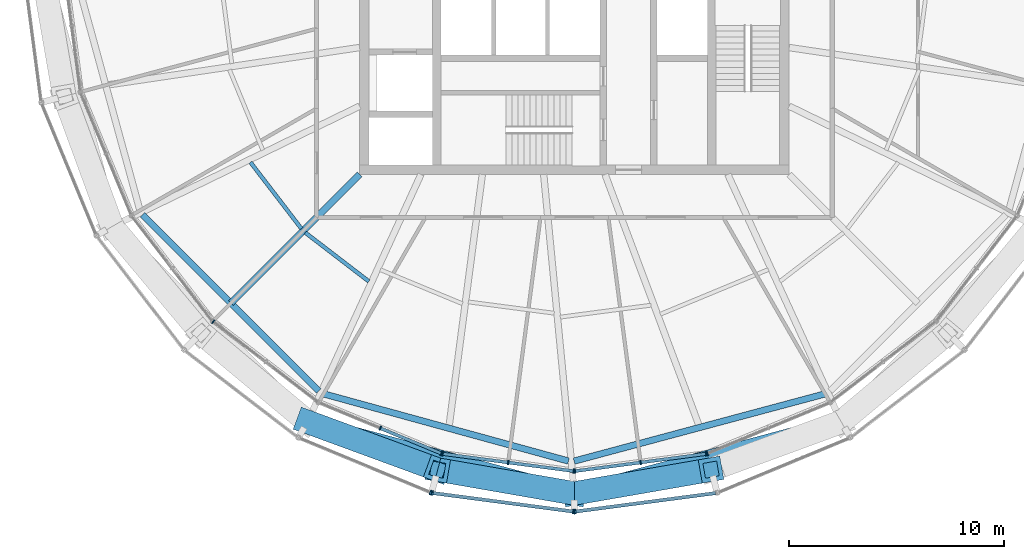
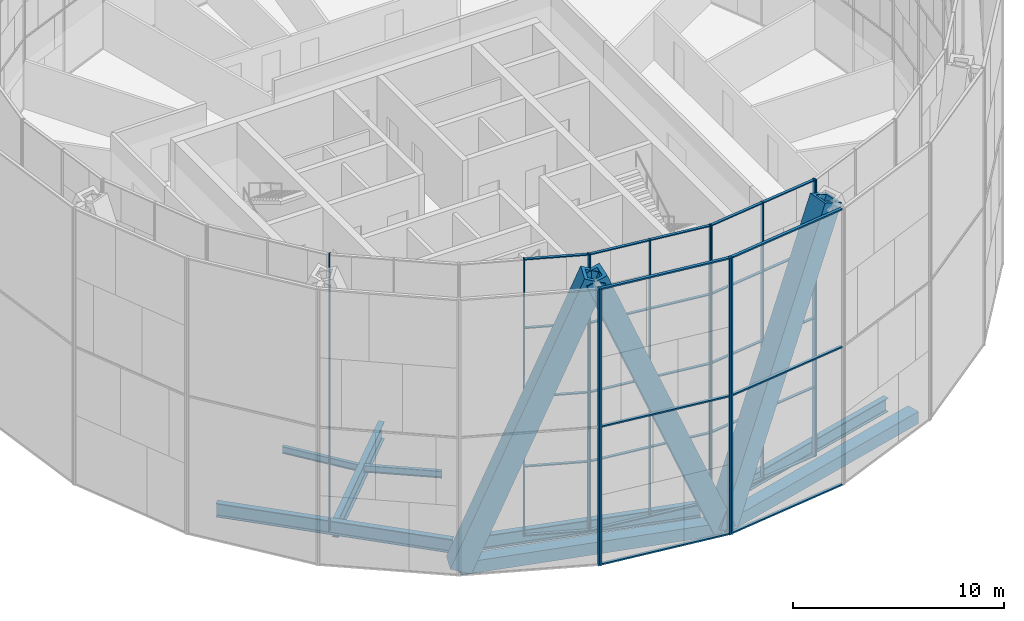
# One storey, part 2 of 28: 48 members, 8 beams, 8 elements without a shape of their own.
"""IFC4 building model written with IfcOpenShell, lengths in metres."""

import ifcopenshell
import ifcopenshell.guid

model = None  # the IFC model being written
_history = None  # IfcOwnerHistory: only IFC2X3 demands one
_inside = {}  # id of a spatial element -> (the spatial element, [elements in it])
_under = {}  # id of a project, library or spatial element -> (it, [spatial elements below it])
_declared = {}  # id of a project -> (the project, [libraries it declares])
_typed = {}  # id of a type object -> (the type object, [elements of that type])
_made_of = {}  # id of a material, layer set ... -> (it, [elements and type objects made of it])


def new_model(schema):
    """Start an empty IFC model of exactly this schema.

    Asked for "IFC4X3", IfcOpenShell would pick the latest addendum, in which some entities
    have other attributes; the version numbers below select the first issue.
    IFC2X3 requires an IfcOwnerHistory on every rooted entity: one is made here for all.
    """
    global model, _history
    if schema == "IFC4X3":
        model = ifcopenshell.file(schema_version=(4, 3, 0, 0))
    else:
        model = ifcopenshell.file(schema=schema)
    _inside.clear()
    _under.clear()
    _declared.clear()
    _typed.clear()
    _made_of.clear()
    _history = None
    if model.schema == "IFC2X3":
        org = make("IfcOrganization", Name="unknown")
        user = make(
            "IfcPersonAndOrganization",
            ThePerson=make("IfcPerson", FamilyName="unknown"),
            TheOrganization=org,
        )
        app = make(
            "IfcApplication",
            ApplicationDeveloper=org,
            Version="unknown",
            ApplicationFullName="unknown",
            ApplicationIdentifier="unknown",
        )
        _history = make(
            "IfcOwnerHistory",
            OwningUser=user,
            OwningApplication=app,
            ChangeAction="ADDED",
            CreationDate=0,
        )
    return model


def make(cls, **values):
    """One entity of the class cls with the attributes given. An attribute that is None is left unset."""
    return model.create_entity(
        cls, **{name: value for name, value in values.items() if value is not None}
    )


def rooted(cls, **values):
    """An entity with a GlobalId (a new one), such as an element, a storey or a relation."""
    return make(cls, GlobalId=ifcopenshell.guid.new(), OwnerHistory=_history, **values)


def si_unit(unit_type, name, prefix=None):
    """IfcSIUnit, for example si_unit("LENGTHUNIT", "METRE", prefix="MILLI")."""
    return make("IfcSIUnit", UnitType=unit_type, Prefix=prefix, Name=name)


def assignment(units):
    """IfcUnitAssignment: the units of a project."""
    return None if units is None else make("IfcUnitAssignment", Units=units)


def point(xyz):
    """IfcCartesianPoint."""
    return None if xyz is None else make("IfcCartesianPoint", Coordinates=xyz)


def direction(xyz):
    """IfcDirection."""
    return None if xyz is None else make("IfcDirection", DirectionRatios=xyz)


def frame(location, z_axis=None, x_axis=None):
    """IfcAxis2Placement3D, a coordinate frame: its origin and axes. An axis left out is left unset."""
    return make(
        "IfcAxis2Placement3D",
        Location=point(location),
        Axis=direction(z_axis),
        RefDirection=direction(x_axis),
    )


def frame_2d(location, x_axis=None):
    """IfcAxis2Placement2D, a coordinate frame in the plane: its origin and x axis."""
    return make(
        "IfcAxis2Placement2D", Location=point(location), RefDirection=direction(x_axis)
    )


def origin():
    """The frame at (0, 0, 0) with its axes left unset."""
    return frame((0.0, 0.0, 0.0))


def origin_2d():
    """The frame at (0, 0) in the plane with its x axis left unset."""
    return frame_2d((0.0, 0.0))


def place(relative_to, where):
    """IfcLocalPlacement: puts the frame where relative to a parent placement (None: the world)."""
    return make(
        "IfcLocalPlacement", PlacementRelTo=relative_to, RelativePlacement=where
    )


def context(
    kind, dimensions, precision=None, world=None, true_north=None, identifier=None
):
    """IfcGeometricRepresentationContext, for example the 3D "Model" context."""
    return make(
        "IfcGeometricRepresentationContext",
        ContextIdentifier=identifier,
        ContextType=kind,
        CoordinateSpaceDimension=dimensions,
        Precision=precision,
        WorldCoordinateSystem=world,
        TrueNorth=true_north,
    )


def subcontext(parent, identifier, kind, view, scale=None):
    """IfcGeometricRepresentationSubContext, for example "Body" below "Model"."""
    return make(
        "IfcGeometricRepresentationSubContext",
        ContextIdentifier=identifier,
        ContextType=kind,
        ParentContext=parent,
        TargetScale=scale,
        TargetView=view,
    )


def project(units=None, contexts=None):
    """IfcProject with its units and contexts."""
    return rooted(
        "IfcProject",
        Name="project",
        RepresentationContexts=contexts,
        UnitsInContext=assignment(units),
    )


def spatial(cls, under=None, at=None, **own):
    """A site, building, storey or space (cls), placed at a placement, below another one or the project."""
    s = rooted(cls, ObjectPlacement=at, **own)
    if under is not None:
        _under.setdefault(under.id(), (under, []))[1].append(s)
    return s


def profile(cls, at=None, kind="AREA", **sizes):
    """A parametric profile (cls). Its sizes go by their IFC names, for example OverallWidth=200.0."""
    return make(cls, ProfileType=kind, Position=at, **sizes)


def rectangle(**sizes):
    """IfcRectangleProfileDef."""
    return profile("IfcRectangleProfileDef", **sizes)


def hollow_rectangle(**sizes):
    """IfcRectangleHollowProfileDef."""
    return profile("IfcRectangleHollowProfileDef", **sizes)


def i_section(**sizes):
    """IfcIShapeProfileDef."""
    return profile("IfcIShapeProfileDef", **sizes)


def extrude(swept, where, along, depth):
    """IfcExtrudedAreaSolid: the profile swept, set in the frame where, extruded along a direction by depth."""
    return make(
        "IfcExtrudedAreaSolid",
        SweptArea=swept,
        Position=where,
        ExtrudedDirection=direction(along),
        Depth=depth,
    )


def shape(context_of_items, identifier, shape_type, items):
    """IfcShapeRepresentation: the items that make up one representation, for example the "Body"."""
    return make(
        "IfcShapeRepresentation",
        ContextOfItems=context_of_items,
        RepresentationIdentifier=identifier,
        RepresentationType=shape_type,
        Items=items,
    )


def material(Name=None, Category=None):
    """IfcMaterial."""
    return make("IfcMaterial", Name=Name, Category=Category)


def material_profile(
    of_material, cross_section, Name=None, Category=None, Priority=None
):
    """IfcMaterialProfile: a cross section and its material."""
    return make(
        "IfcMaterialProfile",
        Name=Name,
        Material=of_material,
        Profile=cross_section,
        Priority=Priority,
        Category=Category,
    )


def profile_set(profiles, Name=None, composite=None):
    """IfcMaterialProfileSet."""
    return make(
        "IfcMaterialProfileSet",
        Name=Name,
        MaterialProfiles=profiles,
        CompositeProfile=composite,
    )


def made_of(thing, what):
    """Note that an element or type object is made of a material, layer set ...; save() writes the relation."""
    if what is not None:
        _made_of.setdefault(what.id(), (what, []))[1].append(thing)
    return thing


def type_object(cls, material=None, **own):
    """A type object (cls), such as IfcWallType, which elements share."""
    return made_of(rooted(cls, **own), material)


def element(
    cls,
    number,
    at=None,
    inside=None,
    cuts=None,
    type_object=None,
    material=None,
    context=None,
    identifier="Body",
    shape_type=None,
    held_by="IfcProductDefinitionShape",
    body=None,
    shapes=None,
    **own,
):
    """One element of the class cls, such as IfcWall. Its Tag is "e" and its number.

    at: its placement. inside: the storey or other place that contains it. cuts: it is an
    opening in that element (IfcRelVoidsElement). A single representation is given by context,
    identifier, shape_type and body (its items); several are given by shapes. held_by: the class
    of the entity that holds the representations. save() writes the other relations.
    """
    e = rooted(cls, Tag="e%d" % number, ObjectPlacement=at, **own)
    if body is not None:
        shapes = [shape(context, identifier, shape_type, body)]
    if shapes is not None:
        e.Representation = make(held_by, Representations=shapes)
    if inside is not None:
        _inside.setdefault(inside.id(), (inside, []))[1].append(e)
    if cuts is not None:
        rooted(
            "IfcRelVoidsElement", RelatingBuildingElement=cuts, RelatedOpeningElement=e
        )
    if type_object is not None:
        _typed.setdefault(type_object.id(), (type_object, []))[1].append(e)
    return made_of(e, material)


def aggregate(whole, parts):
    """IfcRelAggregates: a whole, such as a stair, and the parts it consists of."""
    return rooted("IfcRelAggregates", RelatingObject=whole, RelatedObjects=parts)


def save(model, path):
    """Write the relations noted so far, then the file.

    IfcRelAggregates (storeys below a building ...), IfcRelContainedInSpatialStructure (elements
    in a storey), IfcRelDefinesByType, IfcRelAssociatesMaterial and IfcRelDeclares: one each for
    every whole, place, type object, material and project.
    """
    for whole, parts in _under.values():
        aggregate(whole, parts)
    for where, things in _inside.values():
        rooted(
            "IfcRelContainedInSpatialStructure",
            RelatedElements=things,
            RelatingStructure=where,
        )
    for kind, things in _typed.values():
        rooted("IfcRelDefinesByType", RelatedObjects=things, RelatingType=kind)
    for what, things in _made_of.values():
        rooted("IfcRelAssociatesMaterial", RelatedObjects=things, RelatingMaterial=what)
    for by, libraries in _declared.values():
        rooted("IfcRelDeclares", RelatingContext=by, RelatedDefinitions=libraries)
    model.write(path)


model = new_model("IFC4")

# Units and contexts
model_context = context("Model", 3, precision=1e-05, world=origin(), true_north=direction((0.0, 1.0)))
body_context = subcontext(model_context, "Body", "Model", "MODEL_VIEW")
ifc_project = project(units=[si_unit("LENGTHUNIT", "METRE"), si_unit("AREAUNIT", "SQUARE_METRE"), si_unit("VOLUMEUNIT", "CUBIC_METRE"), si_unit("PLANEANGLEUNIT", "RADIAN"), si_unit("MASSUNIT", "GRAM", prefix="KILO")], contexts=[model_context])

# Site, building, storey
site_placement = place(None, origin())
site = spatial("IfcSite", under=ifc_project, at=site_placement, CompositionType="ELEMENT")
building_placement = place(site_placement, origin())
building = spatial("IfcBuilding", under=site, at=building_placement, Name="Golbaran Civic Tower", CompositionType="ELEMENT")
storey_placement = place(building_placement, frame((0.0, 0.0, 183.0)))
storey = spatial("IfcBuildingStorey", under=building, at=storey_placement, Name="L44", CompositionType="ELEMENT", Elevation=183.0)

# Members
ifc_material_1 = material(Name="Steel S355", Category="steel")
ifc_material_profile_1 = material_profile(ifc_material_1, hollow_rectangle(XDim=1.10009765625, YDim=1.10009765625, WallThickness=0.199951171875, at=origin_2d()), Name="BOX 1100x1100x200")
ifc_profile_set_1 = profile_set([ifc_material_profile_1], Name="Steel S355")
member_type_1 = type_object("IfcMemberType", Name="DIAGRID DIAGONAL BOX 1100x1100x200", PredefinedType="BRACE", material=ifc_profile_set_1)
for number, where, z_axis, x_axis, name in (
    (1, (-12.423583984375, -21.51806640625, -0.7099609375), (0.351359818356, -0.128807878317, 0.927337483621), (0.344197986848, 0.938897090127, 0.0), "Diagonal D10-08R L44-L48"),
    (2, (0.0, -24.846923828125, -0.7099609375), (0.368693220348, 0.064127942686, 0.927336463338), (-0.171360323139, 0.985208424474, 0.0), "Diagonal D10-09R L44-L48"),
    (3, (0.0, -24.846923828125, -0.7099609375), (-0.368693220348, 0.064127942686, 0.927336463338), (-0.171360323139, -0.985208424474, 0.0), "Diagonal D10-09L L44-L48"),
):
    element("IfcMember", number, at=place(storey_placement, frame(where, z_axis=z_axis, x_axis=x_axis)), inside=storey, type_object=member_type_1, Name=name, PredefinedType="BRACE", context=body_context, shape_type="SweptSolid", body=[
        extrude(hollow_rectangle(XDim=1.10009765625, YDim=1.10009765625, WallThickness=0.199951171875, at=origin_2d()), origin(), (0.0, 0.0, 1.0), 17.253662109375),
    ])

# Beams
ifc_material_profile_2 = material_profile(ifc_material_1, hollow_rectangle(XDim=0.699951171875, YDim=0.699951171875, WallThickness=0.080078125, at=origin_2d()), Name="BOX 700x700x80")
ifc_profile_set_2 = profile_set([ifc_material_profile_2], Name="Steel S355")
beam_type_1 = type_object("IfcBeamType", Name="DIAGRID RING TIE BOX 700x700x80", PredefinedType="BEAM", material=ifc_profile_set_2)
for number, where, z_axis, x_axis, name in (
    (4, (-12.423583984375, -21.51806640625, -0.7099609375), (0.965926445829, -0.258816732935, 0.0), (0.258816732935, 0.965926445829, 0.0), "Ring tie 240.00 L44"),
    (5, (0.0, -24.846923828125, -0.7099609375), (0.965926445829, 0.258816732935, 0.0), (-0.258816732935, 0.965926445829, 0.0), "Ring tie 270.00 L44"),
):
    element("IfcBeam", number, at=place(storey_placement, frame(where, z_axis=z_axis, x_axis=x_axis)), inside=storey, type_object=beam_type_1, Name=name, PredefinedType="BEAM", context=body_context, shape_type="SweptSolid", body=[
        extrude(hollow_rectangle(XDim=0.699951171875, YDim=0.699951171875, WallThickness=0.080078125, at=origin_2d()), origin(), (0.0, 0.0, 1.0), 12.86181640625),
    ])
ifc_material_profile_3 = material_profile(ifc_material_1, i_section(OverallWidth=0.300048828125, OverallDepth=0.800048828125, WebThickness=0.017578125, FlangeThickness=0.032958984375, FilletRadius=0.030029296875, at=origin_2d()), Name="HEB 800")
ifc_profile_set_3 = profile_set([ifc_material_profile_3], Name="Steel S355")
beam_type_2 = type_object("IfcBeamType", Name="EDGE BEAM HEB 800", PredefinedType="BEAM", material=ifc_profile_set_3)
beam_1_placement = place(storey_placement, frame((-20.0966796875, -11.876708984375, -0.60009765625), z_axis=(0.706601088042, -0.707612112939, 0.0), x_axis=(0.707612112939, 0.706601088042, 0.0)))
element("IfcBeam", 6, at=beam_1_placement, inside=storey, type_object=beam_type_2, Name="Edge beam 210.00 L44", PredefinedType="BEAM", context=body_context, shape_type="SweptSolid", body=[
    extrude(i_section(OverallWidth=0.300048828125, OverallDepth=0.800048828125, WebThickness=0.017578125, FlangeThickness=0.032958984375, FilletRadius=0.030029296875, at=origin_2d()), origin(), (0.0, 0.0, 1.0), 11.591064453125),
])
beam_2_placement = place(storey_placement, frame((-11.681396484375, -20.211669921875, -0.60009765625), z_axis=(0.964362094197, -0.264585999773, 0.0), x_axis=(0.264585999773, 0.964362094197, 0.0)))
element("IfcBeam", 7, at=beam_2_placement, inside=storey, type_object=beam_type_2, Name="Edge beam 240.00 L44", PredefinedType="BEAM", context=body_context, shape_type="SweptSolid", body=[
    extrude(i_section(OverallWidth=0.300048828125, OverallDepth=0.800048828125, WebThickness=0.017578125, FlangeThickness=0.032958984375, FilletRadius=0.030029296875, at=origin_2d()), origin(), (0.0, 0.0, 1.0), 11.827392578125),
])
beam_3_placement = place(storey_placement, frame((-0.01416015625, -23.34375, -0.60009765625), z_axis=(0.965945171702, 0.258746836241, 0.0), x_axis=(-0.258746836241, 0.965945171702, 0.0)))
element("IfcBeam", 8, at=beam_3_placement, inside=storey, type_object=beam_type_2, Name="Edge beam 270.00 L44", PredefinedType="BEAM", context=body_context, shape_type="SweptSolid", body=[
    extrude(i_section(OverallWidth=0.300048828125, OverallDepth=0.800048828125, WebThickness=0.017578125, FlangeThickness=0.032958984375, FilletRadius=0.030029296875, at=origin_2d()), origin(), (0.0, 0.0, 1.0), 12.107666015625),
])
ifc_material_profile_4 = material_profile(ifc_material_1, i_section(OverallWidth=0.179931640625, OverallDepth=0.39990234375, WebThickness=0.008544921875, FlangeThickness=0.013427734375, FilletRadius=0.02099609375, at=origin_2d()), Name="IPE 400")
ifc_profile_set_4 = profile_set([ifc_material_profile_4], Name="Steel S355")
beam_type_3 = type_object("IfcBeamType", Name="FLOOR INFILL BEAM IPE 400", PredefinedType="BEAM", material=ifc_profile_set_4)
beam_4_placement = place(storey_placement, frame((-15.076904296875, -9.435302734375, -0.39990234375), z_axis=(0.608764623827, -0.79335088881, 0.0), x_axis=(0.79335088881, 0.608764623827, 0.0)))
element("IfcBeam", 9, at=beam_4_placement, inside=storey, type_object=beam_type_3, Name="Infill beam 217.50 L44", PredefinedType="BEAM", context=body_context, shape_type="SweptSolid", body=[
    extrude(i_section(OverallWidth=0.179931640625, OverallDepth=0.39990234375, WebThickness=0.008544921875, FlangeThickness=0.013427734375, FilletRadius=0.02099609375, at=origin_2d()), origin(), (0.0, 0.0, 1.0), 3.892578125),
])
beam_5_placement = place(storey_placement, frame((-12.525146484375, -12.708984375, -0.39990234375), z_axis=(0.793380688002, -0.60872578712, 0.0), x_axis=(0.60872578712, 0.793380688002, 0.0)))
element("IfcBeam", 10, at=beam_5_placement, inside=storey, type_object=beam_type_3, Name="Infill beam 232.50 L44", PredefinedType="BEAM", context=body_context, shape_type="SweptSolid", body=[
    extrude(i_section(OverallWidth=0.179931640625, OverallDepth=0.39990234375, WebThickness=0.008544921875, FlangeThickness=0.013427734375, FilletRadius=0.02099609375, at=origin_2d()), origin(), (0.0, 0.0, 1.0), 3.72705078125),
])

# Curtain wall, member
ifc_material_2 = material(Name="Aluminium and glass", Category="aluminium")
curtain_wall_type_1 = type_object("IfcCurtainWallType", Name="INNER SKIN CURTAIN WALL EXECUTIVE", PredefinedType="NOTDEFINED", material=ifc_material_2)
curtain_wall_1_placement = place(storey_placement, origin())
curtain_wall_1 = element("IfcCurtainWall", 11, at=curtain_wall_1_placement, inside=storey, type_object=curtain_wall_type_1, Name="Inner skin L44 facet 16 CW2", ObjectType="INNER SKIN", PredefinedType="USERDEFINED")
ifc_material_3 = material(Name="Aluminium", Category="aluminium")
ifc_material_profile_5 = material_profile(ifc_material_3, rectangle(XDim=0.199951171875, YDim=0.06005859375, at=origin_2d()), Name="INNER SKIN CURTAIN WALL EXECUTIVE MULLION")
ifc_profile_set_5 = profile_set([ifc_material_profile_5], Name="Aluminium")
member_type_2 = type_object("IfcMemberType", Name="INNER SKIN CURTAIN WALL EXECUTIVE MULLION", PredefinedType="MULLION", material=ifc_profile_set_5)
member_1_placement = place(storey_placement, frame((-16.813720703125, -16.85595703125, 0.0), z_axis=(0.0, 0.0, 1.0), x_axis=(0.608761428953, 0.793353340334, 0.0)))
member_1 = element("IfcMember", 12, at=member_1_placement, type_object=member_type_2, Name="CW2 mullion 1", PredefinedType="MULLION", context=body_context, shape_type="SweptSolid", body=[
    extrude(rectangle(XDim=0.199951171875, YDim=0.06005859375, at=origin_2d()), origin(), (0.0, 0.0, 1.0), 16.0),
])
aggregate(curtain_wall_1, [member_1])

# Curtain wall, members
curtain_wall_2_placement = place(storey_placement, origin())
curtain_wall_2 = element("IfcCurtainWall", 13, at=curtain_wall_2_placement, inside=storey, type_object=curtain_wall_type_1, Name="Inner skin L44 facet 17 CW2", ObjectType="INNER SKIN", PredefinedType="USERDEFINED")
member_2_placement = place(storey_placement, frame((-9.034423828125, -21.811279296875, 0.0), z_axis=(0.0, 0.0, 1.0), x_axis=(0.382683432413, 0.923879532491, 0.0)))
member_2 = element("IfcMember", 14, at=member_2_placement, type_object=member_type_2, Name="CW2 mullion 2", PredefinedType="MULLION", context=body_context, shape_type="SweptSolid", body=[
    extrude(rectangle(XDim=0.199951171875, YDim=0.06005859375, at=origin_2d()), origin(), (0.0, 0.0, 1.0), 16.0),
])
member_3_placement = place(storey_placement, frame((-6.190673828125, -22.9892578125, 0.0), z_axis=(0.0, 0.0, 1.0), x_axis=(0.382683432413, 0.923879532491, 0.0)))
member_3 = element("IfcMember", 15, at=member_3_placement, type_object=member_type_2, Name="CW2 mullion 3", PredefinedType="MULLION", context=body_context, shape_type="SweptSolid", body=[
    extrude(rectangle(XDim=0.199951171875, YDim=0.06005859375, at=origin_2d()), origin(), (0.0, 0.0, 1.0), 16.0),
])

curtain_wall_3_placement = place(storey_placement, origin())
curtain_wall_3 = element("IfcCurtainWall", 16, at=curtain_wall_3_placement, inside=storey, type_object=curtain_wall_type_1, Name="Inner skin L44 facet 18 CW2", ObjectType="INNER SKIN", PredefinedType="USERDEFINED")
member_4_placement = place(storey_placement, frame((-6.13330078125, -23.004638671875, 0.0), z_axis=(0.0, 0.0, 1.0), x_axis=(0.130526192151, 0.991444861383, 0.0)))
member_4 = element("IfcMember", 17, at=member_4_placement, type_object=member_type_2, Name="CW2 mullion 1", PredefinedType="MULLION", context=body_context, shape_type="SweptSolid", body=[
    extrude(rectangle(XDim=0.199951171875, YDim=0.06005859375, at=origin_2d()), origin(), (0.0, 0.0, 1.0), 16.0),
])
member_5_placement = place(storey_placement, frame((-3.08154296875, -23.40625, 0.0), z_axis=(0.0, 0.0, 1.0), x_axis=(0.130526192151, 0.991444861383, 0.0)))
member_5 = element("IfcMember", 18, at=member_5_placement, type_object=member_type_2, Name="CW2 mullion 2", PredefinedType="MULLION", context=body_context, shape_type="SweptSolid", body=[
    extrude(rectangle(XDim=0.199951171875, YDim=0.06005859375, at=origin_2d()), origin(), (0.0, 0.0, 1.0), 16.0),
])
member_6_placement = place(storey_placement, frame((-0.02978515625, -23.80810546875, 0.0), z_axis=(0.0, 0.0, 1.0), x_axis=(0.130526192151, 0.991444861383, 0.0)))
member_6 = element("IfcMember", 19, at=member_6_placement, type_object=member_type_2, Name="CW2 mullion 3", PredefinedType="MULLION", context=body_context, shape_type="SweptSolid", body=[
    extrude(rectangle(XDim=0.199951171875, YDim=0.06005859375, at=origin_2d()), origin(), (0.0, 0.0, 1.0), 16.0),
])

curtain_wall_4_placement = place(storey_placement, origin())
curtain_wall_4 = element("IfcCurtainWall", 20, at=curtain_wall_4_placement, inside=storey, type_object=curtain_wall_type_1, Name="Inner skin L44 facet 19 CW2", ObjectType="INNER SKIN", PredefinedType="USERDEFINED")
member_7_placement = place(storey_placement, frame((0.02978515625, -23.80810546875, 0.0), z_axis=(0.0, 0.0, 1.0), x_axis=(-0.130526192151, 0.991444861383, 0.0)))
member_7 = element("IfcMember", 21, at=member_7_placement, type_object=member_type_2, Name="CW2 mullion 1", PredefinedType="MULLION", context=body_context, shape_type="SweptSolid", body=[
    extrude(rectangle(XDim=0.199951171875, YDim=0.06005859375, at=origin_2d()), origin(), (0.0, 0.0, 1.0), 16.0),
])
member_8_placement = place(storey_placement, frame((3.08154296875, -23.40625, 0.0), z_axis=(0.0, 0.0, 1.0), x_axis=(-0.130526192151, 0.991444861383, 0.0)))
member_8 = element("IfcMember", 22, at=member_8_placement, type_object=member_type_2, Name="CW2 mullion 2", PredefinedType="MULLION", context=body_context, shape_type="SweptSolid", body=[
    extrude(rectangle(XDim=0.199951171875, YDim=0.06005859375, at=origin_2d()), origin(), (0.0, 0.0, 1.0), 16.0),
])
member_9_placement = place(storey_placement, frame((6.13330078125, -23.004638671875, 0.0), z_axis=(0.0, 0.0, 1.0), x_axis=(-0.130526192151, 0.991444861383, 0.0)))
member_9 = element("IfcMember", 23, at=member_9_placement, type_object=member_type_2, Name="CW2 mullion 3", PredefinedType="MULLION", context=body_context, shape_type="SweptSolid", body=[
    extrude(rectangle(XDim=0.199951171875, YDim=0.06005859375, at=origin_2d()), origin(), (0.0, 0.0, 1.0), 16.0),
])

# Curtain wall, member
curtain_wall_5_placement = place(storey_placement, origin())
curtain_wall_5 = element("IfcCurtainWall", 24, at=curtain_wall_5_placement, inside=storey, type_object=curtain_wall_type_1, Name="Inner skin L44 facet 20 CW2", ObjectType="INNER SKIN", PredefinedType="USERDEFINED")
member_10_placement = place(storey_placement, frame((6.190673828125, -22.9892578125, 0.0), z_axis=(0.0, 0.0, 1.0), x_axis=(-0.382683432413, 0.923879532491, 0.0)))
member_10 = element("IfcMember", 25, at=member_10_placement, type_object=member_type_2, Name="CW2 mullion 1", PredefinedType="MULLION", context=body_context, shape_type="SweptSolid", body=[
    extrude(rectangle(XDim=0.199951171875, YDim=0.06005859375, at=origin_2d()), origin(), (0.0, 0.0, 1.0), 16.0),
])
aggregate(curtain_wall_5, [member_10])

# Member
ifc_material_profile_6 = material_profile(ifc_material_3, rectangle(XDim=0.14990234375, YDim=0.06005859375, at=origin_2d()), Name="INNER SKIN CURTAIN WALL EXECUTIVE TRANSOM")
ifc_profile_set_6 = profile_set([ifc_material_profile_6], Name="Aluminium")
member_type_3 = type_object("IfcMemberType", Name="INNER SKIN CURTAIN WALL EXECUTIVE TRANSOM", PredefinedType="USERDEFINED", material=ifc_profile_set_6)
member_11_placement = place(storey_placement, frame((-9.0068359375, -21.82275390625, 0.030029296875), z_axis=(0.923871898929, -0.382701860943, 0.0), x_axis=(0.382701860943, 0.923871898929, 0.0)))
member_11 = element("IfcMember", 26, at=member_11_placement, type_object=member_type_3, Name="CW2 transom 2.1", ObjectType="TRANSOM", PredefinedType="USERDEFINED", context=body_context, shape_type="SweptSolid", body=[
    extrude(rectangle(XDim=0.14990234375, YDim=0.06005859375, at=origin_2d()), origin(), (0.0, 0.0, 1.0), 3.01806640625),
])

member_12_placement = place(storey_placement, frame((-9.0068359375, -21.82275390625, 4.0), z_axis=(0.923871898929, -0.382701860943, 0.0), x_axis=(0.382701860943, 0.923871898929, 0.0)))
member_12 = element("IfcMember", 27, at=member_12_placement, type_object=member_type_3, Name="CW2 transom 2.2", ObjectType="TRANSOM", PredefinedType="USERDEFINED", context=body_context, shape_type="SweptSolid", body=[
    extrude(rectangle(XDim=0.14990234375, YDim=0.06005859375, at=origin_2d()), origin(), (0.0, 0.0, 1.0), 3.01806640625),
])

member_13_placement = place(storey_placement, frame((-9.0068359375, -21.82275390625, 8.0), z_axis=(0.923871898929, -0.382701860943, 0.0), x_axis=(0.382701860943, 0.923871898929, 0.0)))
member_13 = element("IfcMember", 28, at=member_13_placement, type_object=member_type_3, Name="CW2 transom 2.3", ObjectType="TRANSOM", PredefinedType="USERDEFINED", context=body_context, shape_type="SweptSolid", body=[
    extrude(rectangle(XDim=0.14990234375, YDim=0.06005859375, at=origin_2d()), origin(), (0.0, 0.0, 1.0), 3.01806640625),
])

member_14_placement = place(storey_placement, frame((-9.0068359375, -21.82275390625, 12.0), z_axis=(0.923871898929, -0.382701860943, 0.0), x_axis=(0.382701860943, 0.923871898929, 0.0)))
member_14 = element("IfcMember", 29, at=member_14_placement, type_object=member_type_3, Name="CW2 transom 2.4", ObjectType="TRANSOM", PredefinedType="USERDEFINED", context=body_context, shape_type="SweptSolid", body=[
    extrude(rectangle(XDim=0.14990234375, YDim=0.06005859375, at=origin_2d()), origin(), (0.0, 0.0, 1.0), 3.01806640625),
])

member_15_placement = place(storey_placement, frame((-9.0068359375, -21.82275390625, 15.969970703125), z_axis=(0.923871898929, -0.382701860943, 0.0), x_axis=(0.382701860943, 0.923871898929, 0.0)))
member_15 = element("IfcMember", 30, at=member_15_placement, type_object=member_type_3, Name="CW2 transom 2.5", ObjectType="TRANSOM", PredefinedType="USERDEFINED", context=body_context, shape_type="SweptSolid", body=[
    extrude(rectangle(XDim=0.14990234375, YDim=0.06005859375, at=origin_2d()), origin(), (0.0, 0.0, 1.0), 3.01806640625),
])

aggregate(curtain_wall_2, [member_2, member_3, member_11, member_12, member_13, member_14, member_15])

member_16_placement = place(storey_placement, frame((-6.103515625, -23.008544921875, 0.030029296875), z_axis=(0.991450440339, -0.130483808769, 0.0), x_axis=(0.130483808769, 0.991450440339, 0.0)))
member_16 = element("IfcMember", 31, at=member_16_placement, type_object=member_type_3, Name="CW2 transom 1.1", ObjectType="TRANSOM", PredefinedType="USERDEFINED", context=body_context, shape_type="SweptSolid", body=[
    extrude(rectangle(XDim=0.14990234375, YDim=0.06005859375, at=origin_2d()), origin(), (0.0, 0.0, 1.0), 3.01806640625),
])

member_17_placement = place(storey_placement, frame((-6.103515625, -23.008544921875, 4.0), z_axis=(0.991450440339, -0.130483808769, 0.0), x_axis=(0.130483808769, 0.991450440339, 0.0)))
member_17 = element("IfcMember", 32, at=member_17_placement, type_object=member_type_3, Name="CW2 transom 1.2", ObjectType="TRANSOM", PredefinedType="USERDEFINED", context=body_context, shape_type="SweptSolid", body=[
    extrude(rectangle(XDim=0.14990234375, YDim=0.06005859375, at=origin_2d()), origin(), (0.0, 0.0, 1.0), 3.01806640625),
])

member_18_placement = place(storey_placement, frame((-6.103515625, -23.008544921875, 8.0), z_axis=(0.991450440339, -0.130483808769, 0.0), x_axis=(0.130483808769, 0.991450440339, 0.0)))
member_18 = element("IfcMember", 33, at=member_18_placement, type_object=member_type_3, Name="CW2 transom 1.3", ObjectType="TRANSOM", PredefinedType="USERDEFINED", context=body_context, shape_type="SweptSolid", body=[
    extrude(rectangle(XDim=0.14990234375, YDim=0.06005859375, at=origin_2d()), origin(), (0.0, 0.0, 1.0), 3.01806640625),
])

member_19_placement = place(storey_placement, frame((-6.103515625, -23.008544921875, 12.0), z_axis=(0.991450440339, -0.130483808769, 0.0), x_axis=(0.130483808769, 0.991450440339, 0.0)))
member_19 = element("IfcMember", 34, at=member_19_placement, type_object=member_type_3, Name="CW2 transom 1.4", ObjectType="TRANSOM", PredefinedType="USERDEFINED", context=body_context, shape_type="SweptSolid", body=[
    extrude(rectangle(XDim=0.14990234375, YDim=0.06005859375, at=origin_2d()), origin(), (0.0, 0.0, 1.0), 3.01806640625),
])

member_20_placement = place(storey_placement, frame((-6.103515625, -23.008544921875, 15.969970703125), z_axis=(0.991450440339, -0.130483808769, 0.0), x_axis=(0.130483808769, 0.991450440339, 0.0)))
member_20 = element("IfcMember", 35, at=member_20_placement, type_object=member_type_3, Name="CW2 transom 1.5", ObjectType="TRANSOM", PredefinedType="USERDEFINED", context=body_context, shape_type="SweptSolid", body=[
    extrude(rectangle(XDim=0.14990234375, YDim=0.06005859375, at=origin_2d()), origin(), (0.0, 0.0, 1.0), 3.01806640625),
])

member_21_placement = place(storey_placement, frame((-3.0517578125, -23.41015625, 0.030029296875), z_axis=(0.991439972004, -0.130563325295, 0.0), x_axis=(0.130563325295, 0.991439972004, 0.0)))
member_21 = element("IfcMember", 36, at=member_21_placement, type_object=member_type_3, Name="CW2 transom 2.1", ObjectType="TRANSOM", PredefinedType="USERDEFINED", context=body_context, shape_type="SweptSolid", body=[
    extrude(rectangle(XDim=0.14990234375, YDim=0.06005859375, at=origin_2d()), origin(), (0.0, 0.0, 1.0), 3.01806640625),
])

member_22_placement = place(storey_placement, frame((-3.0517578125, -23.41015625, 4.0), z_axis=(0.991439972004, -0.130563325295, 0.0), x_axis=(0.130563325295, 0.991439972004, 0.0)))
member_22 = element("IfcMember", 37, at=member_22_placement, type_object=member_type_3, Name="CW2 transom 2.2", ObjectType="TRANSOM", PredefinedType="USERDEFINED", context=body_context, shape_type="SweptSolid", body=[
    extrude(rectangle(XDim=0.14990234375, YDim=0.06005859375, at=origin_2d()), origin(), (0.0, 0.0, 1.0), 3.01806640625),
])

member_23_placement = place(storey_placement, frame((-3.0517578125, -23.41015625, 8.0), z_axis=(0.991439972004, -0.130563325295, 0.0), x_axis=(0.130563325295, 0.991439972004, 0.0)))
member_23 = element("IfcMember", 38, at=member_23_placement, type_object=member_type_3, Name="CW2 transom 2.3", ObjectType="TRANSOM", PredefinedType="USERDEFINED", context=body_context, shape_type="SweptSolid", body=[
    extrude(rectangle(XDim=0.14990234375, YDim=0.06005859375, at=origin_2d()), origin(), (0.0, 0.0, 1.0), 3.01806640625),
])

member_24_placement = place(storey_placement, frame((-3.0517578125, -23.41015625, 12.0), z_axis=(0.991439972004, -0.130563325295, 0.0), x_axis=(0.130563325295, 0.991439972004, 0.0)))
member_24 = element("IfcMember", 39, at=member_24_placement, type_object=member_type_3, Name="CW2 transom 2.4", ObjectType="TRANSOM", PredefinedType="USERDEFINED", context=body_context, shape_type="SweptSolid", body=[
    extrude(rectangle(XDim=0.14990234375, YDim=0.06005859375, at=origin_2d()), origin(), (0.0, 0.0, 1.0), 3.01806640625),
])

member_25_placement = place(storey_placement, frame((-3.0517578125, -23.41015625, 15.969970703125), z_axis=(0.991439972004, -0.130563325295, 0.0), x_axis=(0.130563325295, 0.991439972004, 0.0)))
member_25 = element("IfcMember", 40, at=member_25_placement, type_object=member_type_3, Name="CW2 transom 2.5", ObjectType="TRANSOM", PredefinedType="USERDEFINED", context=body_context, shape_type="SweptSolid", body=[
    extrude(rectangle(XDim=0.14990234375, YDim=0.06005859375, at=origin_2d()), origin(), (0.0, 0.0, 1.0), 3.01806640625),
])

aggregate(curtain_wall_3, [member_4, member_5, member_6, member_16, member_17, member_18, member_19, member_20, member_21, member_22, member_23, member_24, member_25])

member_26_placement = place(storey_placement, frame((0.0595703125, -23.80419921875, 0.030029296875), z_axis=(0.991439972004, 0.130563325295, 0.0), x_axis=(-0.130563325295, 0.991439972004, 0.0)))
member_26 = element("IfcMember", 41, at=member_26_placement, type_object=member_type_3, Name="CW2 transom 1.1", ObjectType="TRANSOM", PredefinedType="USERDEFINED", context=body_context, shape_type="SweptSolid", body=[
    extrude(rectangle(XDim=0.14990234375, YDim=0.06005859375, at=origin_2d()), origin(), (0.0, 0.0, 1.0), 3.01806640625),
])

member_27_placement = place(storey_placement, frame((0.0595703125, -23.80419921875, 4.0), z_axis=(0.991439972004, 0.130563325295, 0.0), x_axis=(-0.130563325295, 0.991439972004, 0.0)))
member_27 = element("IfcMember", 42, at=member_27_placement, type_object=member_type_3, Name="CW2 transom 1.2", ObjectType="TRANSOM", PredefinedType="USERDEFINED", context=body_context, shape_type="SweptSolid", body=[
    extrude(rectangle(XDim=0.14990234375, YDim=0.06005859375, at=origin_2d()), origin(), (0.0, 0.0, 1.0), 3.01806640625),
])

member_28_placement = place(storey_placement, frame((0.0595703125, -23.80419921875, 8.0), z_axis=(0.991439972004, 0.130563325295, 0.0), x_axis=(-0.130563325295, 0.991439972004, 0.0)))
member_28 = element("IfcMember", 43, at=member_28_placement, type_object=member_type_3, Name="CW2 transom 1.3", ObjectType="TRANSOM", PredefinedType="USERDEFINED", context=body_context, shape_type="SweptSolid", body=[
    extrude(rectangle(XDim=0.14990234375, YDim=0.06005859375, at=origin_2d()), origin(), (0.0, 0.0, 1.0), 3.01806640625),
])

member_29_placement = place(storey_placement, frame((0.0595703125, -23.80419921875, 12.0), z_axis=(0.991439972004, 0.130563325295, 0.0), x_axis=(-0.130563325295, 0.991439972004, 0.0)))
member_29 = element("IfcMember", 44, at=member_29_placement, type_object=member_type_3, Name="CW2 transom 1.4", ObjectType="TRANSOM", PredefinedType="USERDEFINED", context=body_context, shape_type="SweptSolid", body=[
    extrude(rectangle(XDim=0.14990234375, YDim=0.06005859375, at=origin_2d()), origin(), (0.0, 0.0, 1.0), 3.01806640625),
])

member_30_placement = place(storey_placement, frame((0.0595703125, -23.80419921875, 15.969970703125), z_axis=(0.991439972004, 0.130563325295, 0.0), x_axis=(-0.130563325295, 0.991439972004, 0.0)))
member_30 = element("IfcMember", 45, at=member_30_placement, type_object=member_type_3, Name="CW2 transom 1.5", ObjectType="TRANSOM", PredefinedType="USERDEFINED", context=body_context, shape_type="SweptSolid", body=[
    extrude(rectangle(XDim=0.14990234375, YDim=0.06005859375, at=origin_2d()), origin(), (0.0, 0.0, 1.0), 3.01806640625),
])

member_31_placement = place(storey_placement, frame((3.111328125, -23.40234375, 0.030029296875), z_axis=(0.991450440339, 0.130483808769, 0.0), x_axis=(-0.130483808769, 0.991450440339, 0.0)))
member_31 = element("IfcMember", 46, at=member_31_placement, type_object=member_type_3, Name="CW2 transom 2.1", ObjectType="TRANSOM", PredefinedType="USERDEFINED", context=body_context, shape_type="SweptSolid", body=[
    extrude(rectangle(XDim=0.14990234375, YDim=0.06005859375, at=origin_2d()), origin(), (0.0, 0.0, 1.0), 3.01806640625),
])

member_32_placement = place(storey_placement, frame((3.111328125, -23.40234375, 4.0), z_axis=(0.991450440339, 0.130483808769, 0.0), x_axis=(-0.130483808769, 0.991450440339, 0.0)))
member_32 = element("IfcMember", 47, at=member_32_placement, type_object=member_type_3, Name="CW2 transom 2.2", ObjectType="TRANSOM", PredefinedType="USERDEFINED", context=body_context, shape_type="SweptSolid", body=[
    extrude(rectangle(XDim=0.14990234375, YDim=0.06005859375, at=origin_2d()), origin(), (0.0, 0.0, 1.0), 3.01806640625),
])

member_33_placement = place(storey_placement, frame((3.111328125, -23.40234375, 8.0), z_axis=(0.991450440339, 0.130483808769, 0.0), x_axis=(-0.130483808769, 0.991450440339, 0.0)))
member_33 = element("IfcMember", 48, at=member_33_placement, type_object=member_type_3, Name="CW2 transom 2.3", ObjectType="TRANSOM", PredefinedType="USERDEFINED", context=body_context, shape_type="SweptSolid", body=[
    extrude(rectangle(XDim=0.14990234375, YDim=0.06005859375, at=origin_2d()), origin(), (0.0, 0.0, 1.0), 3.01806640625),
])

member_34_placement = place(storey_placement, frame((3.111328125, -23.40234375, 12.0), z_axis=(0.991450440339, 0.130483808769, 0.0), x_axis=(-0.130483808769, 0.991450440339, 0.0)))
member_34 = element("IfcMember", 49, at=member_34_placement, type_object=member_type_3, Name="CW2 transom 2.4", ObjectType="TRANSOM", PredefinedType="USERDEFINED", context=body_context, shape_type="SweptSolid", body=[
    extrude(rectangle(XDim=0.14990234375, YDim=0.06005859375, at=origin_2d()), origin(), (0.0, 0.0, 1.0), 3.01806640625),
])

member_35_placement = place(storey_placement, frame((3.111328125, -23.40234375, 15.969970703125), z_axis=(0.991450440339, 0.130483808769, 0.0), x_axis=(-0.130483808769, 0.991450440339, 0.0)))
member_35 = element("IfcMember", 50, at=member_35_placement, type_object=member_type_3, Name="CW2 transom 2.5", ObjectType="TRANSOM", PredefinedType="USERDEFINED", context=body_context, shape_type="SweptSolid", body=[
    extrude(rectangle(XDim=0.14990234375, YDim=0.06005859375, at=origin_2d()), origin(), (0.0, 0.0, 1.0), 3.01806640625),
])

aggregate(curtain_wall_4, [member_7, member_8, member_9, member_26, member_27, member_28, member_29, member_30, member_31, member_32, member_33, member_34, member_35])

# Curtain wall, member
curtain_wall_type_2 = type_object("IfcCurtainWallType", Name="OUTER SKIN TERRACOTTA SCREEN", PredefinedType="NOTDEFINED", material=ifc_material_2)
curtain_wall_6_placement = place(storey_placement, origin())
curtain_wall_6 = element("IfcCurtainWall", 51, at=curtain_wall_6_placement, inside=storey, type_object=curtain_wall_type_2, Name="Outer skin L44 facet 17 CW3", ObjectType="OUTER SKIN", PredefinedType="USERDEFINED")
ifc_material_profile_7 = material_profile(ifc_material_3, rectangle(XDim=0.219970703125, YDim=0.080078125, at=origin_2d()), Name="OUTER SKIN TERRACOTTA SCREEN MULLION")
ifc_profile_set_7 = profile_set([ifc_material_profile_7], Name="Aluminium")
member_type_4 = type_object("IfcMemberType", Name="OUTER SKIN TERRACOTTA SCREEN MULLION", PredefinedType="MULLION", material=ifc_profile_set_7)
member_36_placement = place(storey_placement, frame((-6.687744140625, -24.80615234375, -0.7099609375), z_axis=(0.0, 0.0, 1.0), x_axis=(0.382683432349, 0.923879532518, 0.0)))
member_36 = element("IfcMember", 52, at=member_36_placement, type_object=member_type_4, Name="CW3 mullion 2", PredefinedType="MULLION", context=body_context, shape_type="SweptSolid", body=[
    extrude(rectangle(XDim=0.219970703125, YDim=0.080078125, at=origin_2d()), origin(), (0.0, 0.0, 1.0), 16.0),
])
aggregate(curtain_wall_6, [member_36])

# Curtain wall, members
curtain_wall_7_placement = place(storey_placement, origin())
curtain_wall_7 = element("IfcCurtainWall", 53, at=curtain_wall_7_placement, inside=storey, type_object=curtain_wall_type_2, Name="Outer skin L44 facet 18 CW3", ObjectType="OUTER SKIN", PredefinedType="USERDEFINED")
member_37_placement = place(storey_placement, frame((-6.611328125, -24.82666015625, -0.7099609375), z_axis=(0.0, 0.0, 1.0), x_axis=(0.130526192237, 0.991444861372, 0.0)))
member_37 = element("IfcMember", 54, at=member_37_placement, type_object=member_type_4, Name="CW3 mullion 1", PredefinedType="MULLION", context=body_context, shape_type="SweptSolid", body=[
    extrude(rectangle(XDim=0.219970703125, YDim=0.080078125, at=origin_2d()), origin(), (0.0, 0.0, 1.0), 16.0),
])
member_38_placement = place(storey_placement, frame((-0.03955078125, -25.69189453125, -0.7099609375), z_axis=(0.0, 0.0, 1.0), x_axis=(0.130526192237, 0.991444861372, 0.0)))
member_38 = element("IfcMember", 55, at=member_38_placement, type_object=member_type_4, Name="CW3 mullion 2", PredefinedType="MULLION", context=body_context, shape_type="SweptSolid", body=[
    extrude(rectangle(XDim=0.219970703125, YDim=0.080078125, at=origin_2d()), origin(), (0.0, 0.0, 1.0), 16.0),
])

# Curtain wall, member
curtain_wall_8_placement = place(storey_placement, origin())
curtain_wall_8 = element("IfcCurtainWall", 56, at=curtain_wall_8_placement, inside=storey, type_object=curtain_wall_type_2, Name="Outer skin L44 facet 19 CW3", ObjectType="OUTER SKIN", PredefinedType="USERDEFINED")
member_39_placement = place(storey_placement, frame((0.03955078125, -25.69189453125, -0.7099609375), z_axis=(0.0, 0.0, 1.0), x_axis=(-0.130526192237, 0.991444861372, 0.0)))
member_39 = element("IfcMember", 57, at=member_39_placement, type_object=member_type_4, Name="CW3 mullion 1", PredefinedType="MULLION", context=body_context, shape_type="SweptSolid", body=[
    extrude(rectangle(XDim=0.219970703125, YDim=0.080078125, at=origin_2d()), origin(), (0.0, 0.0, 1.0), 16.0),
])

# Member
ifc_material_profile_8 = material_profile(ifc_material_3, rectangle(XDim=0.159912109375, YDim=0.080078125, at=origin_2d()), Name="OUTER SKIN TERRACOTTA SCREEN TRANSOM")
ifc_profile_set_8 = profile_set([ifc_material_profile_8], Name="Aluminium")
member_type_5 = type_object("IfcMemberType", Name="OUTER SKIN TERRACOTTA SCREEN TRANSOM", PredefinedType="USERDEFINED", material=ifc_profile_set_8)
member_40_placement = place(storey_placement, frame((-6.571533203125, -24.831787109375, -0.669921875), z_axis=(0.991444394399, -0.130529739199, 0.0), x_axis=(0.130529739199, 0.991444394399, 0.0)))
member_40 = element("IfcMember", 58, at=member_40_placement, type_object=member_type_5, Name="CW3 transom 1.1", ObjectType="TRANSOM", PredefinedType="USERDEFINED", context=body_context, shape_type="SweptSolid", body=[
    extrude(rectangle(XDim=0.159912109375, YDim=0.080078125, at=origin_2d()), origin(), (0.0, 0.0, 1.0), 6.548095703125),
])

member_41_placement = place(storey_placement, frame((-6.571533203125, -24.831787109375, 7.2900390625), z_axis=(0.991444394399, -0.130529739199, 0.0), x_axis=(0.130529739199, 0.991444394399, 0.0)))
member_41 = element("IfcMember", 59, at=member_41_placement, type_object=member_type_5, Name="CW3 transom 1.2", ObjectType="TRANSOM", PredefinedType="USERDEFINED", context=body_context, shape_type="SweptSolid", body=[
    extrude(rectangle(XDim=0.159912109375, YDim=0.080078125, at=origin_2d()), origin(), (0.0, 0.0, 1.0), 6.548095703125),
])

member_42_placement = place(storey_placement, frame((-6.571533203125, -24.831787109375, 15.25), z_axis=(0.991444394399, -0.130529739199, 0.0), x_axis=(0.130529739199, 0.991444394399, 0.0)))
member_42 = element("IfcMember", 60, at=member_42_placement, type_object=member_type_5, Name="CW3 transom 1.3", ObjectType="TRANSOM", PredefinedType="USERDEFINED", context=body_context, shape_type="SweptSolid", body=[
    extrude(rectangle(XDim=0.159912109375, YDim=0.080078125, at=origin_2d()), origin(), (0.0, 0.0, 1.0), 6.548095703125),
])

aggregate(curtain_wall_7, [member_37, member_38, member_40, member_41, member_42])

member_43_placement = place(storey_placement, frame((0.079345703125, -25.6865234375, -0.669921875), z_axis=(0.991444394399, 0.130529739199, 0.0), x_axis=(-0.130529739199, 0.991444394399, 0.0)))
member_43 = element("IfcMember", 61, at=member_43_placement, type_object=member_type_5, Name="CW3 transom 1.1", ObjectType="TRANSOM", PredefinedType="USERDEFINED", context=body_context, shape_type="SweptSolid", body=[
    extrude(rectangle(XDim=0.159912109375, YDim=0.080078125, at=origin_2d()), origin(), (0.0, 0.0, 1.0), 6.548095703125),
])

member_44_placement = place(storey_placement, frame((0.079345703125, -25.6865234375, 7.2900390625), z_axis=(0.991444394399, 0.130529739199, 0.0), x_axis=(-0.130529739199, 0.991444394399, 0.0)))
member_44 = element("IfcMember", 62, at=member_44_placement, type_object=member_type_5, Name="CW3 transom 1.2", ObjectType="TRANSOM", PredefinedType="USERDEFINED", context=body_context, shape_type="SweptSolid", body=[
    extrude(rectangle(XDim=0.159912109375, YDim=0.080078125, at=origin_2d()), origin(), (0.0, 0.0, 1.0), 6.548095703125),
])

member_45_placement = place(storey_placement, frame((0.079345703125, -25.6865234375, 15.25), z_axis=(0.991444394399, 0.130529739199, 0.0), x_axis=(-0.130529739199, 0.991444394399, 0.0)))
member_45 = element("IfcMember", 63, at=member_45_placement, type_object=member_type_5, Name="CW3 transom 1.3", ObjectType="TRANSOM", PredefinedType="USERDEFINED", context=body_context, shape_type="SweptSolid", body=[
    extrude(rectangle(XDim=0.159912109375, YDim=0.080078125, at=origin_2d()), origin(), (0.0, 0.0, 1.0), 6.548095703125),
])

aggregate(curtain_wall_8, [member_39, member_43, member_44, member_45])

# Beam
ifc_material_profile_9 = material_profile(ifc_material_1, i_section(OverallWidth=0.300048828125, OverallDepth=1.0, WebThickness=0.01904296875, FlangeThickness=0.035888671875, FilletRadius=0.030029296875, at=origin_2d()), Name="HEB 1000")
ifc_profile_set_9 = profile_set([ifc_material_profile_9], Name="Steel S355")
beam_type_4 = type_object("IfcBeamType", Name="SECONDARY FLOOR BEAM HEB 1000", PredefinedType="BEAM", material=ifc_profile_set_9)
beam_6_placement = place(storey_placement, frame((-10.0, -10.0, -0.7099609375), z_axis=(-0.707106781187, -0.707106781187, 0.0), x_axis=(0.707106781187, -0.707106781187, 0.0)))
element("IfcBeam", 64, at=beam_6_placement, inside=storey, type_object=beam_type_4, Name="Secondary beam 225.00 L44", PredefinedType="BEAM", context=body_context, shape_type="SweptSolid", body=[
    extrude(i_section(OverallWidth=0.300048828125, OverallDepth=1.0, WebThickness=0.01904296875, FlangeThickness=0.035888671875, FilletRadius=0.030029296875, at=origin_2d()), origin(), (0.0, 0.0, 1.0), 8.470703125),
])

save(model, "model.ifc")
